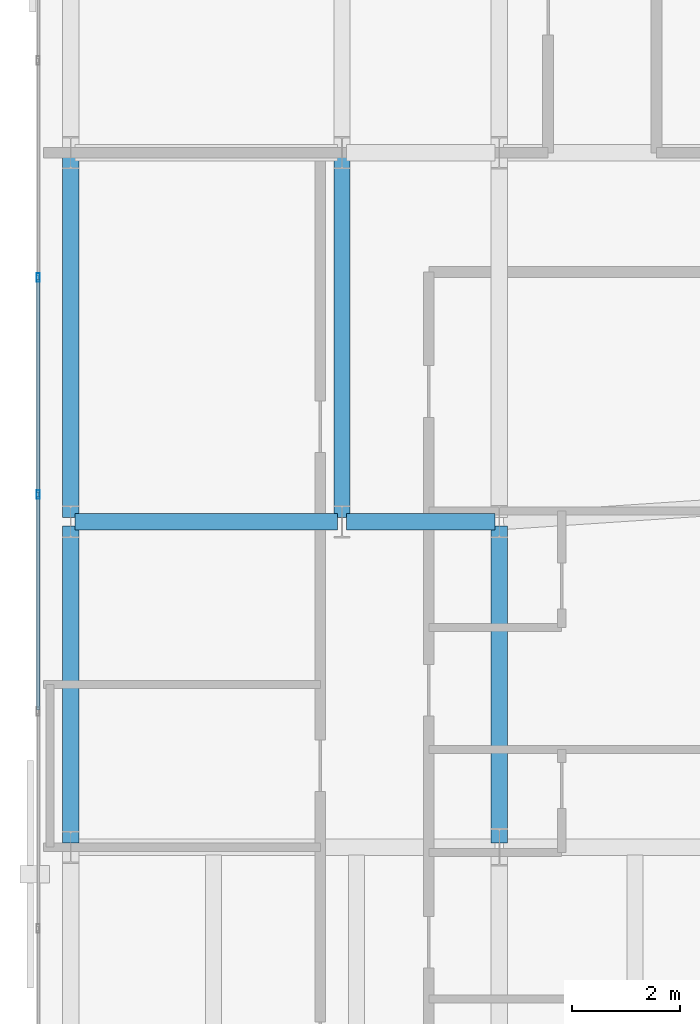
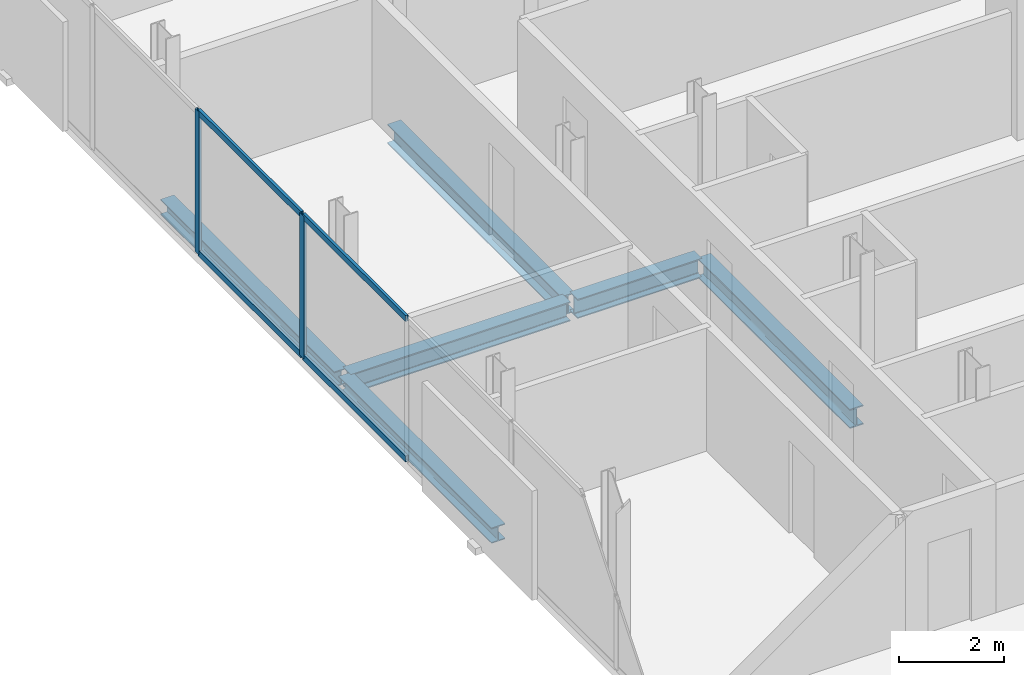
# One storey, part 9 of 32: 6 beams, 6 members, 1 element without a shape of its own.
"""IFC4 building model written with IfcOpenShell, lengths in metres."""

from ifc_helpers import new_model, si_unit, direction, frame, origin, origin_2d, place, context, subcontext, project, spatial, hollow_rectangle, i_section, extrude, material, layer, layer_set, material_profile, profile_set, type_object, element, aggregate, save


model = new_model("IFC4")

# Units and contexts
model_context = context("Model", 3, precision=1e-05, world=origin(), true_north=direction((0.0, 1.0)))
body_context = subcontext(model_context, "Body", "Model", "MODEL_VIEW")
ifc_project = project(units=[si_unit("LENGTHUNIT", "METRE"), si_unit("AREAUNIT", "SQUARE_METRE"), si_unit("VOLUMEUNIT", "CUBIC_METRE"), si_unit("PLANEANGLEUNIT", "RADIAN"), si_unit("MASSUNIT", "GRAM", prefix="KILO")], contexts=[model_context])

# Site, building, storey
site_placement = place(None, origin())
site = spatial("IfcSite", under=ifc_project, at=site_placement, CompositionType="ELEMENT")
building_placement = place(site_placement, origin())
building = spatial("IfcBuilding", under=site, at=building_placement, Name="Catumbela Crestline Tower", CompositionType="ELEMENT")
storey_placement = place(building_placement, frame((0.0, 0.0, 126.0)))
storey = spatial("IfcBuildingStorey", under=building, at=storey_placement, Name="L32", CompositionType="ELEMENT", Elevation=126.0)

# Beams
ifc_material_1 = material(Name="Structural steel S355J2", Category="steel")
ifc_material_profile_1 = material_profile(ifc_material_1, i_section(OverallWidth=0.3, OverallDepth=0.45, WebThickness=0.014, FlangeThickness=0.026, FilletRadius=0.027, at=origin_2d()), Name="HEB 450")
ifc_profile_set_1 = profile_set([ifc_material_profile_1], Name="Structural steel S355J2")
beam_type_1 = type_object("IfcBeamType", Name="BG-HEB450", PredefinedType="BEAM", material=ifc_profile_set_1)
beam_1_placement = place(storey_placement, frame((0.68, 24.0, -0.485), z_axis=(1.0, 0.0, 0.0), x_axis=(0.0, 1.0, 0.0)))
element("IfcBeam", 1, at=beam_1_placement, inside=storey, type_object=beam_type_1, Name="L32 Beam BM-L32-S01", PredefinedType="BEAM", context=body_context, shape_type="SweptSolid", body=[
    extrude(i_section(OverallWidth=0.3, OverallDepth=0.45, WebThickness=0.014, FlangeThickness=0.026, FilletRadius=0.027, at=origin_2d()), origin(), (0.0, 0.0, 1.0), 4.84),
])
beam_2_placement = place(storey_placement, frame((5.68, 24.0, -0.485), z_axis=(1.0, 0.0, 0.0), x_axis=(0.0, 1.0, 0.0)))
element("IfcBeam", 2, at=beam_2_placement, inside=storey, type_object=beam_type_1, Name="L32 Beam BM-L32-S02", PredefinedType="BEAM", context=body_context, shape_type="SweptSolid", body=[
    extrude(i_section(OverallWidth=0.3, OverallDepth=0.45, WebThickness=0.014, FlangeThickness=0.026, FilletRadius=0.027, at=origin_2d()), origin(), (0.0, 0.0, 1.0), 2.74),
])
beam_3_placement = place(storey_placement, frame((5.6, 24.08, -0.485), z_axis=(0.0, 1.0, 0.0), x_axis=(-1.0, 0.0, 0.0)))
element("IfcBeam", 3, at=beam_3_placement, inside=storey, type_object=beam_type_1, Name="L32 Beam BM-L32-SN24", PredefinedType="BEAM", context=body_context, shape_type="SweptSolid", body=[
    extrude(i_section(OverallWidth=0.3, OverallDepth=0.45, WebThickness=0.014, FlangeThickness=0.026, FilletRadius=0.027, at=origin_2d()), origin(), (0.0, 0.0, 1.0), 6.64),
])
beam_4_placement = place(storey_placement, frame((8.5, 18.08, -0.485), z_axis=(0.0, 1.0, 0.0), x_axis=(-1.0, 0.0, 0.0)))
element("IfcBeam", 4, at=beam_4_placement, inside=storey, type_object=beam_type_1, Name="L32 Beam BM-L32-WNS57", PredefinedType="BEAM", context=body_context, shape_type="SweptSolid", body=[
    extrude(i_section(OverallWidth=0.3, OverallDepth=0.45, WebThickness=0.014, FlangeThickness=0.026, FilletRadius=0.027, at=origin_2d()), origin(), (0.0, 0.0, 1.0), 5.84),
])

# Curtain wall, members
ifc_material_2 = material(Name="Aluminium alloy AW-6060-T66", Category="aluminium")
ifc_layer = layer(ifc_material_2, 0.18, Name="Aluminium alloy AW-6060-T66")
ifc_layer_set = layer_set([ifc_layer], Name="Aluminium alloy AW-6060-T66")
curtain_wall_type = type_object("IfcCurtainWallType", Name="CWU-Z2", PredefinedType="USERDEFINED", material=ifc_layer_set)
curtain_wall_placement = place(storey_placement, origin())
curtain_wall = element("IfcCurtainWall", 5, at=curtain_wall_placement, inside=storey, type_object=curtain_wall_type, Name="L32 Unitised Curtain Wall CW-L32-E9S1", ObjectType="UNITISED", PredefinedType="USERDEFINED")
ifc_material_profile_2 = material_profile(ifc_material_2, hollow_rectangle(XDim=0.06, YDim=0.16, WallThickness=0.004, at=origin_2d()), Name="ALU 160x60x4")
ifc_profile_set_2 = profile_set([ifc_material_profile_2], Name="Aluminium alloy AW-6060-T66")
member_type_1 = type_object("IfcMemberType", Name="MUL-160X60", PredefinedType="MULLION", material=ifc_profile_set_2)
member_1_placement = place(storey_placement, frame((0.0, 28.5, 0.0), z_axis=(0.0, 0.0, 1.0), x_axis=(1.0, 0.0, 0.0)))
member_1 = element("IfcMember", 6, at=member_1_placement, type_object=member_type_1, Name="CWU-Z2 mullion 5", PredefinedType="MULLION", context=body_context, shape_type="SweptSolid", body=[
    extrude(hollow_rectangle(XDim=0.06, YDim=0.16, WallThickness=0.004, at=origin_2d()), origin(), (0.0, 0.0, 1.0), 3.33),
])
member_2_placement = place(storey_placement, frame((0.0, 24.5, 0.0), z_axis=(0.0, 0.0, 1.0), x_axis=(1.0, 0.0, 0.0)))
member_2 = element("IfcMember", 7, at=member_2_placement, type_object=member_type_1, Name="CWU-Z2 mullion 6", PredefinedType="MULLION", context=body_context, shape_type="SweptSolid", body=[
    extrude(hollow_rectangle(XDim=0.06, YDim=0.16, WallThickness=0.004, at=origin_2d()), origin(), (0.0, 0.0, 1.0), 3.33),
])

# Beams
ifc_material_profile_3 = material_profile(ifc_material_1, i_section(OverallWidth=0.3, OverallDepth=0.36, WebThickness=0.0125, FlangeThickness=0.0225, FilletRadius=0.027, at=origin_2d()), Name="HEB 360")
ifc_profile_set_3 = profile_set([ifc_material_profile_3], Name="Structural steel S355J2")
beam_type_2 = type_object("IfcBeamType", Name="BS-HEB360", PredefinedType="SPANDREL", material=ifc_profile_set_3)
beam_5_placement = place(storey_placement, frame((0.6, 24.08, -0.44), z_axis=(0.0, 1.0, 0.0), x_axis=(-1.0, 0.0, 0.0)))
element("IfcBeam", 8, at=beam_5_placement, inside=storey, type_object=beam_type_2, Name="L32 Spandrel SP-L32-SN22", PredefinedType="SPANDREL", context=body_context, shape_type="SweptSolid", body=[
    extrude(i_section(OverallWidth=0.3, OverallDepth=0.36, WebThickness=0.0125, FlangeThickness=0.0225, FilletRadius=0.027, at=origin_2d()), origin(), (0.0, 0.0, 1.0), 6.64),
])
beam_6_placement = place(storey_placement, frame((0.6, 18.08, -0.44), z_axis=(0.0, 1.0, 0.0), x_axis=(-1.0, 0.0, 0.0)))
element("IfcBeam", 9, at=beam_6_placement, inside=storey, type_object=beam_type_2, Name="L32 Spandrel SP-L32-WNS54", PredefinedType="SPANDREL", context=body_context, shape_type="SweptSolid", body=[
    extrude(i_section(OverallWidth=0.3, OverallDepth=0.36, WebThickness=0.0125, FlangeThickness=0.0225, FilletRadius=0.027, at=origin_2d()), origin(), (0.0, 0.0, 1.0), 5.84),
])

# Member
ifc_material_profile_4 = material_profile(ifc_material_2, hollow_rectangle(XDim=0.06, YDim=0.14, WallThickness=0.004, at=origin_2d()), Name="ALU 140x60x4")
ifc_profile_set_4 = profile_set([ifc_material_profile_4], Name="Aluminium alloy AW-6060-T66")
member_type_2 = type_object("IfcMemberType", Name="TRN-140X60", PredefinedType="USERDEFINED", material=ifc_profile_set_4)
member_3_placement = place(storey_placement, frame((0.0, 28.4675, 0.03), z_axis=(0.0, -1.0, 0.0), x_axis=(1.0, 0.0, 0.0)))
member_3 = element("IfcMember", 10, at=member_3_placement, type_object=member_type_2, Name="CWU-Z2 transom 5.1", ObjectType="TRANSOM", PredefinedType="USERDEFINED", context=body_context, shape_type="SweptSolid", body=[
    extrude(hollow_rectangle(XDim=0.06, YDim=0.14, WallThickness=0.004, at=origin_2d()), origin(), (0.0, 0.0, 1.0), 3.935),
])

member_4_placement = place(storey_placement, frame((0.0, 28.4675, 3.3), z_axis=(0.0, -1.0, 0.0), x_axis=(1.0, 0.0, 0.0)))
member_4 = element("IfcMember", 11, at=member_4_placement, type_object=member_type_2, Name="CWU-Z2 transom 5.2", ObjectType="TRANSOM", PredefinedType="USERDEFINED", context=body_context, shape_type="SweptSolid", body=[
    extrude(hollow_rectangle(XDim=0.06, YDim=0.14, WallThickness=0.004, at=origin_2d()), origin(), (0.0, 0.0, 1.0), 3.935),
])

member_5_placement = place(storey_placement, frame((0.0, 24.4675, 0.03), z_axis=(0.0, -1.0, 0.0), x_axis=(1.0, 0.0, 0.0)))
member_5 = element("IfcMember", 12, at=member_5_placement, type_object=member_type_2, Name="CWU-Z2 transom 6.1", ObjectType="TRANSOM", PredefinedType="USERDEFINED", context=body_context, shape_type="SweptSolid", body=[
    extrude(hollow_rectangle(XDim=0.06, YDim=0.14, WallThickness=0.004, at=origin_2d()), origin(), (0.0, 0.0, 1.0), 3.935),
])

member_6_placement = place(storey_placement, frame((0.0, 24.4675, 3.3), z_axis=(0.0, -1.0, 0.0), x_axis=(1.0, 0.0, 0.0)))
member_6 = element("IfcMember", 13, at=member_6_placement, type_object=member_type_2, Name="CWU-Z2 transom 6.2", ObjectType="TRANSOM", PredefinedType="USERDEFINED", context=body_context, shape_type="SweptSolid", body=[
    extrude(hollow_rectangle(XDim=0.06, YDim=0.14, WallThickness=0.004, at=origin_2d()), origin(), (0.0, 0.0, 1.0), 3.935),
])

aggregate(curtain_wall, [member_1, member_2, member_3, member_4, member_5, member_6])

save(model, "model.ifc")
